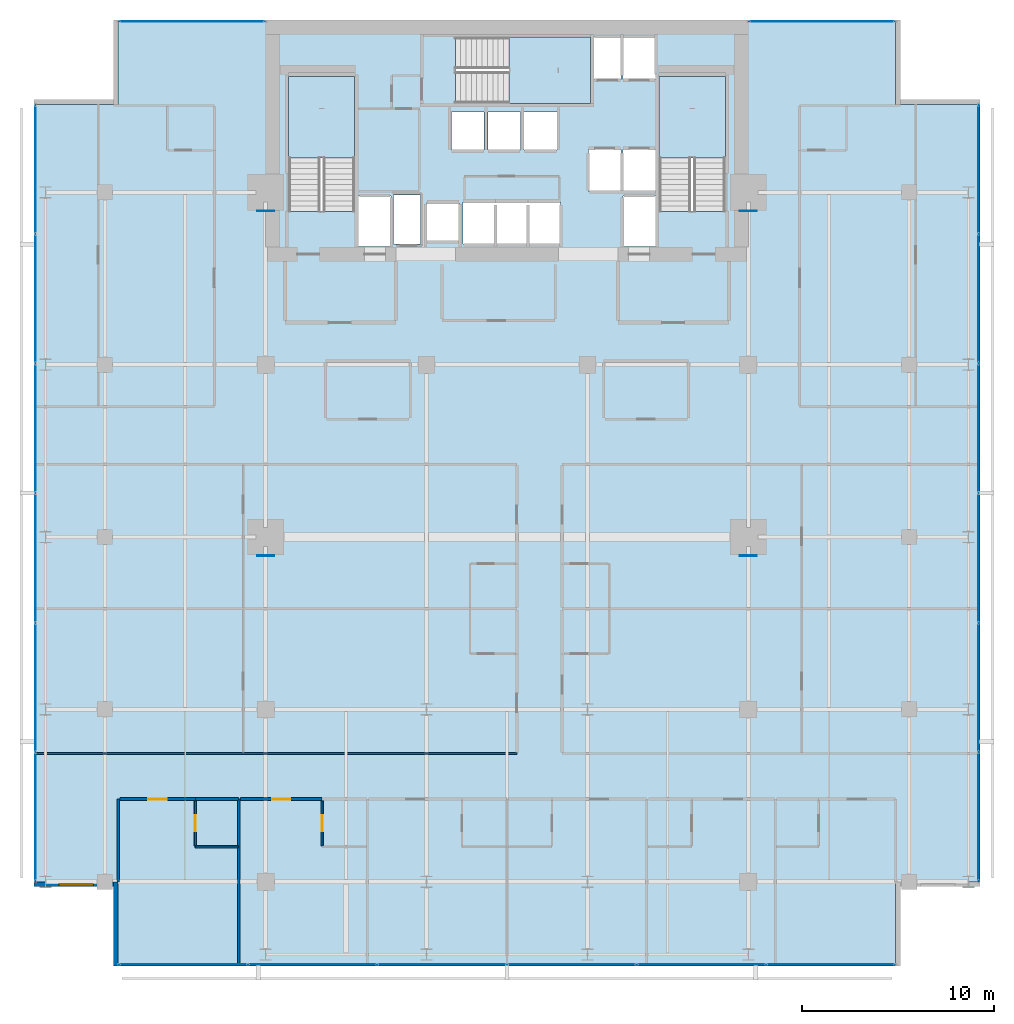
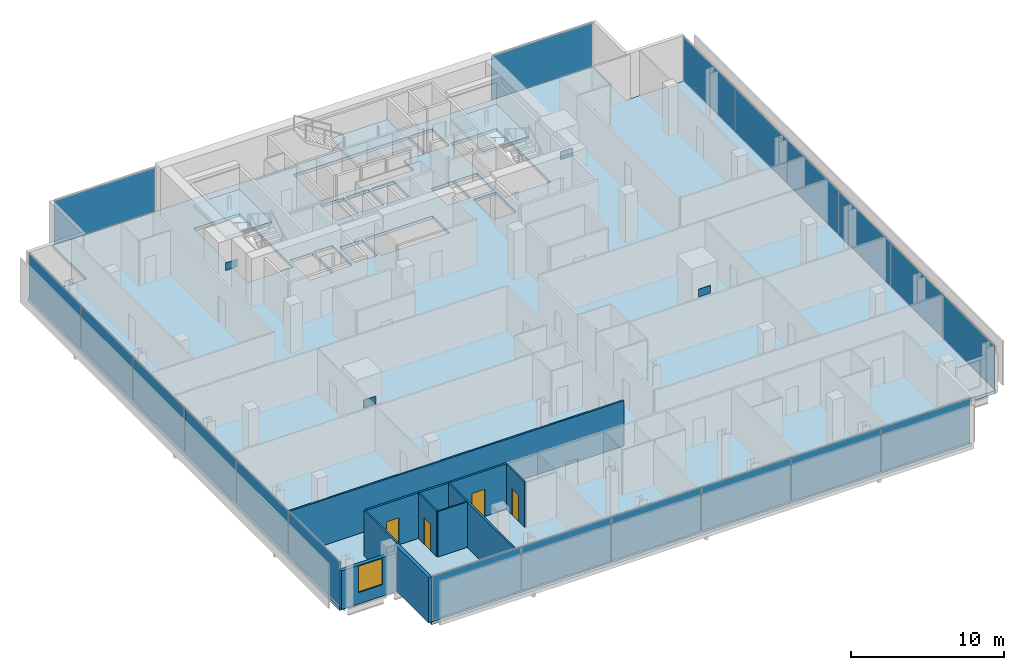
# One storey, part 26 of 33: 24 plates, 11 walls, 4 doors, 4 slabs, 1 window, 5 openings, 8 elements without a shape of their own.
"""IFC4 building model written with IfcOpenShell, lengths in metres."""

from ifc_helpers import new_model, si_unit, direction, frame, frame_2d, origin, origin_2d, place, context, subcontext, project, spatial, polyline, rectangle, outline, extrude, material, layer, layer_set, type_object, element, fill, aggregate, save


model = new_model("IFC4")

# Units and contexts
model_context = context("Model", 3, precision=1e-05, world=origin(), true_north=direction((0.0, 1.0)))
body_context = subcontext(model_context, "Body", "Model", "MODEL_VIEW")
ifc_project = project(units=[si_unit("LENGTHUNIT", "METRE"), si_unit("AREAUNIT", "SQUARE_METRE"), si_unit("VOLUMEUNIT", "CUBIC_METRE"), si_unit("PLANEANGLEUNIT", "RADIAN"), si_unit("MASSUNIT", "GRAM", prefix="KILO")], contexts=[model_context])

# Site, building, storey
site_placement = place(None, origin())
site = spatial("IfcSite", under=ifc_project, at=site_placement, CompositionType="ELEMENT")
building_placement = place(site_placement, origin())
building = spatial("IfcBuilding", under=site, at=building_placement, Name="Maruvema Waterfront Hotel and Observation Tower", CompositionType="ELEMENT")
storey_placement = place(building_placement, frame((0.0, 0.0, 196.699951171875)))
storey = spatial("IfcBuildingStorey", under=building, at=storey_placement, Name="L48", CompositionType="ELEMENT", Elevation=196.699951171875)

# Slab
ifc_material_1 = material(Name="Concrete C50/60", Category="concrete")
ifc_layer_1 = layer(ifc_material_1, 0.239990234375, Name="Reinforced Concrete Floor Slab 240 mm")
ifc_layer_set_1 = layer_set([ifc_layer_1], Name="Concrete C50/60")
slab_type_1 = type_object("IfcSlabType", Name="Reinforced Concrete Floor Slab 240 mm", PredefinedType="FLOOR", material=ifc_layer_set_1)
slab_1_placement = place(storey_placement, frame((0.0, 0.0, -0.239990234375)))
element("IfcSlab", 1, at=slab_1_placement, inside=storey, type_object=slab_type_1, Name="L48 Structural Floor Slab", PredefinedType="FLOOR", context=body_context, shape_type="SweptSolid", body=[
    extrude(outline(polyline([(17.5, 4.60009765625), (58.10009765625, 4.60009765625), (58.10009765625, 9.0), (62.5, 9.0), (62.5, 49.60009765625), (58.10009765625, 49.60009765625), (58.10009765625, 54.0), (17.5, 54.0), (17.5, 49.60009765625), (13.10009765625, 49.60009765625), (13.10009765625, 9.0), (17.5, 9.0), (17.5, 4.60009765625)]), holes=[polyline([(26.39990234375, 44.00048828125), (26.39990234375, 51.050048828125), (29.85009765625, 51.050048828125), (29.85009765625, 44.00048828125), (26.39990234375, 44.00048828125)]), polyline([(30.050048828125, 44.800048828125), (31.75, 44.800048828125), (31.75, 42.169921875), (30.050048828125, 42.169921875), (30.050048828125, 44.800048828125)]), polyline([(31.8798828125, 44.860107421875), (33.280029296875, 44.860107421875), (33.280029296875, 42.2900390625), (31.8798828125, 42.2900390625), (31.8798828125, 44.860107421875)]), polyline([(33.60009765625, 44.449951171875), (35.300048828125, 44.449951171875), (35.300048828125, 42.449951171875), (33.60009765625, 42.449951171875), (33.60009765625, 44.449951171875)]), polyline([(34.89990234375, 49.199951171875), (36.60009765625, 49.199951171875), (36.60009765625, 47.199951171875), (34.89990234375, 47.199951171875), (34.89990234375, 49.199951171875)]), polyline([(36.800048828125, 49.199951171875), (38.5, 49.199951171875), (38.5, 47.199951171875), (36.800048828125, 47.199951171875), (36.800048828125, 49.199951171875)]), polyline([(35.5, 42.300048828125), (35.5, 44.5), (40.60009765625, 44.5), (40.60009765625, 42.300048828125), (35.5, 42.300048828125)]), polyline([(35.1005859375, 53.10009765625), (43.75, 53.10009765625), (43.75, 50.89990234375), (42.14990234375, 50.89990234375), (42.14990234375, 49.64990234375), (35.1005859375, 49.64990234375), (35.1005859375, 53.10009765625)]), polyline([(38.699951171875, 49.199951171875), (40.39990234375, 49.199951171875), (40.39990234375, 47.199951171875), (38.699951171875, 47.199951171875), (38.699951171875, 49.199951171875)]), polyline([(42.050048828125, 47.25), (43.75, 47.25), (43.75, 45.050048828125), (42.050048828125, 45.050048828125), (42.050048828125, 47.25)]), polyline([(43.85009765625, 44.800048828125), (45.550048828125, 44.800048828125), (45.550048828125, 42.169921875), (43.85009765625, 42.169921875), (43.85009765625, 44.800048828125)]), polyline([(43.85009765625, 47.25), (45.550048828125, 47.25), (45.550048828125, 45.050048828125), (43.85009765625, 45.050048828125), (43.85009765625, 47.25)]), polyline([(45.550048828125, 53.10009765625), (45.550048828125, 50.89990234375), (43.85009765625, 50.89990234375), (43.85009765625, 53.10009765625), (45.550048828125, 53.10009765625)]), polyline([(45.75, 44.00048828125), (45.75, 51.050048828125), (49.199951171875, 51.050048828125), (49.199951171875, 44.00048828125), (45.75, 44.00048828125)])]), origin(), (0.0, 0.0, 1.0), 0.239990234375),
])

# Curtain wall, plates
ifc_material_2 = material(Name="Anodised bronze aluminium and solar-control low-E IGU", Category="aluminium")
ifc_layer_2 = layer(ifc_material_2, 0.159912109375, Name="Zone 2 Amber Inner Thermal Curtain Wall System CW-03")
ifc_layer_set_2 = layer_set([ifc_layer_2], Name="Anodised bronze aluminium and solar-control low-E IGU")
curtain_wall_type = type_object("IfcCurtainWallType", Name="Zone 2 Amber Inner Thermal Curtain Wall System CW-03", PredefinedType="USERDEFINED", material=ifc_layer_set_2)
curtain_wall_1_placement = place(storey_placement, origin())
curtain_wall_1 = element("IfcCurtainWall", 2, at=curtain_wall_1_placement, inside=storey, type_object=curtain_wall_type, Name="L48 Curtain Wall CW-L48-S", ObjectType="UNITISED CURTAIN WALL", PredefinedType="USERDEFINED")
ifc_material_3 = material(Name="Laminated low-E solar-control double glazing", Category="glass")
ifc_layer_3 = layer(ifc_material_3, 0.035888671875, Name="Solar Control Double-Glazed Curtain Panel 36 mm")
ifc_layer_set_3 = layer_set([ifc_layer_3], Name="Laminated low-E solar-control double glazing")
plate_type_1 = type_object("IfcPlateType", Name="Solar Control Double-Glazed Curtain Panel 36 mm", PredefinedType="CURTAIN_PANEL", material=ifc_layer_set_3)
plate_1_placement = place(storey_placement, frame((20.8984375, 4.679931640625, 0.06005859375), z_axis=(0.0, 0.0, 1.0), x_axis=(1.0, 0.0, 0.0)))
plate_1 = element("IfcPlate", 3, at=plate_1_placement, type_object=plate_type_1, Name="CW-03 panel 1.1", PredefinedType="CURTAIN_PANEL", context=body_context, shape_type="SweptSolid", body=[
    extrude(rectangle(XDim=6.6767578125, YDim=0.028076171875, at=origin_2d()), origin(), (0.0, 0.0, 1.0), 3.489990234375),
])
plate_2_placement = place(storey_placement, frame((27.64990234375, 4.679931640625, 0.06005859375), z_axis=(0.0, 0.0, 1.0), x_axis=(1.0, 0.0, 0.0)))
plate_2 = element("IfcPlate", 4, at=plate_2_placement, type_object=plate_type_1, Name="CW-03 panel 2.1", PredefinedType="CURTAIN_PANEL", context=body_context, shape_type="SweptSolid", body=[
    extrude(rectangle(XDim=6.706787109375, YDim=0.028076171875, at=origin_2d()), origin(), (0.0, 0.0, 1.0), 3.489990234375),
])
plate_3_placement = place(storey_placement, frame((34.416748046875, 4.679931640625, 0.06005859375), z_axis=(0.0, 0.0, 1.0), x_axis=(1.0, 0.0, 0.0)))
plate_3 = element("IfcPlate", 5, at=plate_3_placement, type_object=plate_type_1, Name="CW-03 panel 3.1", PredefinedType="CURTAIN_PANEL", context=body_context, shape_type="SweptSolid", body=[
    extrude(rectangle(XDim=6.706787109375, YDim=0.028076171875, at=origin_2d()), origin(), (0.0, 0.0, 1.0), 3.489990234375),
])
plate_4_placement = place(storey_placement, frame((41.183349609375, 4.679931640625, 0.06005859375), z_axis=(0.0, 0.0, 1.0), x_axis=(1.0, 0.0, 0.0)))
plate_4 = element("IfcPlate", 6, at=plate_4_placement, type_object=plate_type_1, Name="CW-03 panel 4.1", PredefinedType="CURTAIN_PANEL", context=body_context, shape_type="SweptSolid", body=[
    extrude(rectangle(XDim=6.706787109375, YDim=0.028076171875, at=origin_2d()), origin(), (0.0, 0.0, 1.0), 3.489990234375),
])
plate_5_placement = place(storey_placement, frame((47.949951171875, 4.679931640625, 0.06005859375), z_axis=(0.0, 0.0, 1.0), x_axis=(1.0, 0.0, 0.0)))
plate_5 = element("IfcPlate", 7, at=plate_5_placement, type_object=plate_type_1, Name="CW-03 panel 5.1", PredefinedType="CURTAIN_PANEL", context=body_context, shape_type="SweptSolid", body=[
    extrude(rectangle(XDim=6.706787109375, YDim=0.028076171875, at=origin_2d()), origin(), (0.0, 0.0, 1.0), 3.489990234375),
])
plate_6_placement = place(storey_placement, frame((54.70166015625, 4.679931640625, 0.06005859375), z_axis=(0.0, 0.0, 1.0), x_axis=(1.0, 0.0, 0.0)))
plate_6 = element("IfcPlate", 8, at=plate_6_placement, type_object=plate_type_1, Name="CW-03 panel 6.1", PredefinedType="CURTAIN_PANEL", context=body_context, shape_type="SweptSolid", body=[
    extrude(rectangle(XDim=6.6767578125, YDim=0.028076171875, at=origin_2d()), origin(), (0.0, 0.0, 1.0), 3.489990234375),
])
aggregate(curtain_wall_1, [plate_1, plate_2, plate_3, plate_4, plate_5, plate_6])

curtain_wall_2_placement = place(storey_placement, origin())
curtain_wall_2 = element("IfcCurtainWall", 9, at=curtain_wall_2_placement, inside=storey, type_object=curtain_wall_type, Name="L48 Curtain Wall CW-L48-E", ObjectType="UNITISED CURTAIN WALL", PredefinedType="USERDEFINED")
plate_7_placement = place(storey_placement, frame((62.419921875, 12.3984375, 0.06005859375), z_axis=(0.0, 0.0, 1.0), x_axis=(0.0, 1.0, 0.0)))
plate_7 = element("IfcPlate", 10, at=plate_7_placement, type_object=plate_type_1, Name="CW-03 panel 1.1", PredefinedType="CURTAIN_PANEL", context=body_context, shape_type="SweptSolid", body=[
    extrude(rectangle(XDim=6.6767578125, YDim=0.028076171875, at=origin_2d()), origin(), (0.0, 0.0, 1.0), 3.489990234375),
])
plate_8_placement = place(storey_placement, frame((62.419921875, 19.14990234375, 0.06005859375), z_axis=(0.0, 0.0, 1.0), x_axis=(0.0, 1.0, 0.0)))
plate_8 = element("IfcPlate", 11, at=plate_8_placement, type_object=plate_type_1, Name="CW-03 panel 2.1", PredefinedType="CURTAIN_PANEL", context=body_context, shape_type="SweptSolid", body=[
    extrude(rectangle(XDim=6.706787109375, YDim=0.028076171875, at=origin_2d()), origin(), (0.0, 0.0, 1.0), 3.489990234375),
])
plate_9_placement = place(storey_placement, frame((62.419921875, 25.916748046875, 0.06005859375), z_axis=(0.0, 0.0, 1.0), x_axis=(0.0, 1.0, 0.0)))
plate_9 = element("IfcPlate", 12, at=plate_9_placement, type_object=plate_type_1, Name="CW-03 panel 3.1", PredefinedType="CURTAIN_PANEL", context=body_context, shape_type="SweptSolid", body=[
    extrude(rectangle(XDim=6.706787109375, YDim=0.028076171875, at=origin_2d()), origin(), (0.0, 0.0, 1.0), 3.489990234375),
])
plate_10_placement = place(storey_placement, frame((62.419921875, 32.683349609375, 0.06005859375), z_axis=(0.0, 0.0, 1.0), x_axis=(0.0, 1.0, 0.0)))
plate_10 = element("IfcPlate", 13, at=plate_10_placement, type_object=plate_type_1, Name="CW-03 panel 4.1", PredefinedType="CURTAIN_PANEL", context=body_context, shape_type="SweptSolid", body=[
    extrude(rectangle(XDim=6.706787109375, YDim=0.028076171875, at=origin_2d()), origin(), (0.0, 0.0, 1.0), 3.489990234375),
])
plate_11_placement = place(storey_placement, frame((62.419921875, 39.449951171875, 0.06005859375), z_axis=(0.0, 0.0, 1.0), x_axis=(0.0, 1.0, 0.0)))
plate_11 = element("IfcPlate", 14, at=plate_11_placement, type_object=plate_type_1, Name="CW-03 panel 5.1", PredefinedType="CURTAIN_PANEL", context=body_context, shape_type="SweptSolid", body=[
    extrude(rectangle(XDim=6.706787109375, YDim=0.028076171875, at=origin_2d()), origin(), (0.0, 0.0, 1.0), 3.489990234375),
])
plate_12_placement = place(storey_placement, frame((62.419921875, 46.20166015625, 0.06005859375), z_axis=(0.0, 0.0, 1.0), x_axis=(0.0, 1.0, 0.0)))
plate_12 = element("IfcPlate", 15, at=plate_12_placement, type_object=plate_type_1, Name="CW-03 panel 6.1", PredefinedType="CURTAIN_PANEL", context=body_context, shape_type="SweptSolid", body=[
    extrude(rectangle(XDim=6.6767578125, YDim=0.028076171875, at=origin_2d()), origin(), (0.0, 0.0, 1.0), 3.489990234375),
])
aggregate(curtain_wall_2, [plate_7, plate_8, plate_9, plate_10, plate_11, plate_12])

curtain_wall_3_placement = place(storey_placement, origin())
curtain_wall_3 = element("IfcCurtainWall", 16, at=curtain_wall_3_placement, inside=storey, type_object=curtain_wall_type, Name="L48 Curtain Wall CW-L48-W", ObjectType="UNITISED CURTAIN WALL", PredefinedType="USERDEFINED")
plate_13_placement = place(storey_placement, frame((13.179931640625, 46.20166015625, 0.06005859375), z_axis=(0.0, 0.0, 1.0), x_axis=(0.0, -1.0, 0.0)))
plate_13 = element("IfcPlate", 17, at=plate_13_placement, type_object=plate_type_1, Name="CW-03 panel 1.1", PredefinedType="CURTAIN_PANEL", context=body_context, shape_type="SweptSolid", body=[
    extrude(rectangle(XDim=6.6767578125, YDim=0.028076171875, at=origin_2d()), origin(), (0.0, 0.0, 1.0), 3.489990234375),
])
plate_14_placement = place(storey_placement, frame((13.179931640625, 39.449951171875, 0.06005859375), z_axis=(0.0, 0.0, 1.0), x_axis=(0.0, -1.0, 0.0)))
plate_14 = element("IfcPlate", 18, at=plate_14_placement, type_object=plate_type_1, Name="CW-03 panel 2.1", PredefinedType="CURTAIN_PANEL", context=body_context, shape_type="SweptSolid", body=[
    extrude(rectangle(XDim=6.706787109375, YDim=0.028076171875, at=origin_2d()), origin(), (0.0, 0.0, 1.0), 3.489990234375),
])
plate_15_placement = place(storey_placement, frame((13.179931640625, 32.683349609375, 0.06005859375), z_axis=(0.0, 0.0, 1.0), x_axis=(0.0, -1.0, 0.0)))
plate_15 = element("IfcPlate", 19, at=plate_15_placement, type_object=plate_type_1, Name="CW-03 panel 3.1", PredefinedType="CURTAIN_PANEL", context=body_context, shape_type="SweptSolid", body=[
    extrude(rectangle(XDim=6.706787109375, YDim=0.028076171875, at=origin_2d()), origin(), (0.0, 0.0, 1.0), 3.489990234375),
])
plate_16_placement = place(storey_placement, frame((13.179931640625, 25.916748046875, 0.06005859375), z_axis=(0.0, 0.0, 1.0), x_axis=(0.0, -1.0, 0.0)))
plate_16 = element("IfcPlate", 20, at=plate_16_placement, type_object=plate_type_1, Name="CW-03 panel 4.1", PredefinedType="CURTAIN_PANEL", context=body_context, shape_type="SweptSolid", body=[
    extrude(rectangle(XDim=6.706787109375, YDim=0.028076171875, at=origin_2d()), origin(), (0.0, 0.0, 1.0), 3.489990234375),
])
plate_17_placement = place(storey_placement, frame((13.179931640625, 19.14990234375, 0.06005859375), z_axis=(0.0, 0.0, 1.0), x_axis=(0.0, -1.0, 0.0)))
plate_17 = element("IfcPlate", 21, at=plate_17_placement, type_object=plate_type_1, Name="CW-03 panel 5.1", PredefinedType="CURTAIN_PANEL", context=body_context, shape_type="SweptSolid", body=[
    extrude(rectangle(XDim=6.706787109375, YDim=0.028076171875, at=origin_2d()), origin(), (0.0, 0.0, 1.0), 3.489990234375),
])
plate_18_placement = place(storey_placement, frame((13.179931640625, 12.3984375, 0.06005859375), z_axis=(0.0, 0.0, 1.0), x_axis=(0.0, -1.0, 0.0)))
plate_18 = element("IfcPlate", 22, at=plate_18_placement, type_object=plate_type_1, Name="CW-03 panel 6.1", PredefinedType="CURTAIN_PANEL", context=body_context, shape_type="SweptSolid", body=[
    extrude(rectangle(XDim=6.6767578125, YDim=0.028076171875, at=origin_2d()), origin(), (0.0, 0.0, 1.0), 3.489990234375),
])
aggregate(curtain_wall_3, [plate_13, plate_14, plate_15, plate_16, plate_17, plate_18])

# Curtain wall, plate
curtain_wall_4_placement = place(storey_placement, origin())
curtain_wall_4 = element("IfcCurtainWall", 23, at=curtain_wall_4_placement, inside=storey, type_object=curtain_wall_type, Name="L48 Curtain Wall CW-L48-NW", ObjectType="UNITISED CURTAIN WALL", PredefinedType="USERDEFINED")
plate_19_placement = place(storey_placement, frame((21.35009765625, 53.919921875, 0.06005859375), z_axis=(0.0, 0.0, 1.0), x_axis=(-1.0, 0.0, 0.0)))
plate_19 = element("IfcPlate", 24, at=plate_19_placement, type_object=plate_type_1, Name="CW-03 panel 1.1", PredefinedType="CURTAIN_PANEL", context=body_context, shape_type="SweptSolid", body=[
    extrude(rectangle(XDim=7.580078125, YDim=0.028076171875, at=origin_2d()), origin(), (0.0, 0.0, 1.0), 3.489990234375),
])
aggregate(curtain_wall_4, [plate_19])

curtain_wall_5_placement = place(storey_placement, origin())
curtain_wall_5 = element("IfcCurtainWall", 25, at=curtain_wall_5_placement, inside=storey, type_object=curtain_wall_type, Name="L48 Curtain Wall CW-L48-NE", ObjectType="UNITISED CURTAIN WALL", PredefinedType="USERDEFINED")
plate_20_placement = place(storey_placement, frame((54.25, 53.919921875, 0.06005859375), z_axis=(0.0, 0.0, 1.0), x_axis=(-1.0, 0.0, 0.0)))
plate_20 = element("IfcPlate", 26, at=plate_20_placement, type_object=plate_type_1, Name="CW-03 panel 1.1", PredefinedType="CURTAIN_PANEL", context=body_context, shape_type="SweptSolid", body=[
    extrude(rectangle(XDim=7.580078125, YDim=0.028076171875, at=origin_2d()), origin(), (0.0, 0.0, 1.0), 3.489990234375),
])
aggregate(curtain_wall_5, [plate_20])

# Stair, slab
ifc_material_4 = material(Name="Concrete C50/60", Category="concrete")
stair_type = type_object("IfcStairType", Name="Dogleg Exit Stair 1650 mm (22R x 175.0 mm)", PredefinedType="HALF_TURN_STAIR", material=ifc_material_4)
stair_1_placement = place(storey_placement, origin())
stair_1 = element("IfcStair", 27, at=stair_1_placement, inside=storey, type_object=stair_type, Name="L48 ST-01", PredefinedType="HALF_TURN_STAIR")
ifc_material_5 = material(Name="Concrete C50/60", Category="concrete")
ifc_layer_4 = layer(ifc_material_5, 0.219970703125, Name="Stair Concrete Landing Slab 220 mm")
ifc_layer_set_4 = layer_set([ifc_layer_4], Name="Concrete C50/60")
slab_type_2 = type_object("IfcSlabType", Name="Stair Concrete Landing Slab 220 mm", PredefinedType="LANDING", material=ifc_layer_set_4)
slab_2_placement = place(storey_placement, frame((0.0, 0.0, 1.705078125)))
slab_2 = element("IfcSlab", 28, at=slab_2_placement, type_object=slab_type_2, Name="ST-01 landing 1", PredefinedType="LANDING", context=body_context, shape_type="SweptSolid", body=[
    extrude(outline(polyline([(29.85009765625, 46.800048828125), (29.85009765625, 51.050048828125), (26.39990234375, 51.050048828125), (26.39990234375, 46.800048828125), (29.85009765625, 46.800048828125)])), origin(), (0.0, 0.0, 1.0), 0.219970703125),
])
aggregate(stair_1, [slab_2])

stair_2_placement = place(storey_placement, origin())
stair_2 = element("IfcStair", 29, at=stair_2_placement, inside=storey, type_object=stair_type, Name="L48 ST-02", PredefinedType="HALF_TURN_STAIR")
slab_3_placement = place(storey_placement, frame((0.0, 0.0, 1.705078125)))
slab_3 = element("IfcSlab", 30, at=slab_3_placement, type_object=slab_type_2, Name="ST-02 landing 1", PredefinedType="LANDING", context=body_context, shape_type="SweptSolid", body=[
    extrude(outline(polyline([(37.89990234375, 49.64990234375), (42.14990234375, 49.64990234375), (42.14990234375, 53.10009765625), (37.89990234375, 53.10009765625), (37.89990234375, 49.64990234375)])), origin(), (0.0, 0.0, 1.0), 0.219970703125),
])
aggregate(stair_2, [slab_3])

stair_3_placement = place(storey_placement, origin())
stair_3 = element("IfcStair", 31, at=stair_3_placement, inside=storey, type_object=stair_type, Name="L48 ST-03", PredefinedType="HALF_TURN_STAIR")
slab_4_placement = place(storey_placement, frame((0.0, 0.0, 1.705078125)))
slab_4 = element("IfcSlab", 32, at=slab_4_placement, type_object=slab_type_2, Name="ST-03 landing 1", PredefinedType="LANDING", context=body_context, shape_type="SweptSolid", body=[
    extrude(outline(polyline([(49.199951171875, 46.800048828125), (49.199951171875, 51.050048828125), (45.75, 51.050048828125), (45.75, 46.800048828125), (49.199951171875, 46.800048828125)])), origin(), (0.0, 0.0, 1.0), 0.219970703125),
])
aggregate(stair_3, [slab_4])

# Plates
ifc_material_6 = material(Name="Steel ABNT NBR 7007 AR 415 (ASTM A572 Grade 50)", Category="steel")
ifc_layer_5 = layer(ifc_material_6, 0.0400390625, Name="Structural Truss Node Gusset Plate 40 mm")
ifc_layer_set_5 = layer_set([ifc_layer_5], Name="Steel ABNT NBR 7007 AR 415 (ASTM A572 Grade 50)")
plate_type_2 = type_object("IfcPlateType", Name="Structural Truss Node Gusset Plate 40 mm", PredefinedType="USERDEFINED", material=ifc_layer_set_5)
for number, where, z_axis, x_axis, name in (
    (33, (25.199951171875, 26.030029296875, 1.5), (0.0, 0.0, 1.0), (1.0, 0.0, 0.0), "L48 MC-01 Moment Frame Continuity Gusset Plate"),
    (34, (50.39990234375, 26.030029296875, 1.5), (0.0, 0.0, 1.0), (1.0, 0.0, 0.0), "L48 MC-02 Moment Frame Continuity Gusset Plate"),
    (35, (25.199951171875, 44.030029296875, 1.5), (0.0, 0.0, 1.0), (1.0, 0.0, 0.0), "L48 MC-03 Moment Frame Continuity Gusset Plate"),
    (36, (50.39990234375, 44.030029296875, 1.5), (0.0, 0.0, 1.0), (1.0, 0.0, 0.0), "L48 MC-04 Moment Frame Continuity Gusset Plate"),
):
    element("IfcPlate", number, at=place(storey_placement, frame(where, z_axis=z_axis, x_axis=x_axis)), inside=storey, type_object=plate_type_2, Name=name, ObjectType="GUSSET_PLATE", PredefinedType="USERDEFINED", context=body_context, shape_type="SweptSolid", body=[
        extrude(rectangle(XDim=0.89990234375, YDim=0.0400390625, at=origin_2d()), origin(), (0.0, 0.0, 1.0), 0.60009765625),
    ])

# Wall
ifc_material_7 = material(Name="Twin-stud acoustic gypsum drywall", Category="gypsum")
ifc_layer_6 = layer(ifc_material_7, 0.14990234375, Name="Acoustic Corridor and Suite Demising Wall 150 mm")
ifc_layer_set_6 = layer_set([ifc_layer_6], Name="Twin-stud acoustic gypsum drywall")
wall_type_1 = type_object("IfcWallType", Name="Acoustic Corridor and Suite Demising Wall 150 mm", PredefinedType="PARTITIONING", material=ifc_layer_set_6)
wall_1_placement = place(storey_placement, frame((21.530029296875, 13.320068359375, 0.0), z_axis=(0.0, 0.0, 1.0), x_axis=(1.0, 0.0, 0.0)))
element("IfcWall", 37, at=wall_1_placement, inside=storey, type_object=wall_type_1, Name="L48 Bath L48-S1 Back Wall 031", PredefinedType="PARTITIONING", context=body_context, shape_type="SweptSolid", body=[
    extrude(rectangle(XDim=2.25, YDim=0.14990234375, at=frame_2d((1.125, 0.0))), origin(), (0.0, 0.0, 1.0), 3.610107421875),
])

# Wall, opening, door
wall_2_placement = place(storey_placement, frame((17.580078125, 13.320068359375, 0.0), z_axis=(0.0, 0.0, 1.0), x_axis=(1.0, 0.0, 0.0)))
wall_2 = element("IfcWall", 38, at=wall_2_placement, inside=storey, type_object=wall_type_1, Name="L48 Unit L48-S1 Corridor Wall 034", PredefinedType="PARTITIONING", context=body_context, shape_type="SweptSolid", body=[
    extrude(rectangle(XDim=3.949951171875, YDim=0.14990234375, at=frame_2d((1.97509765625, 0.0))), origin(), (0.0, 0.0, 1.0), 3.610107421875),
])
opening_1_placement = place(wall_2_placement, frame((1.5, 0.0, 0.0)))
opening_1 = element("IfcOpeningElement", 39, at=opening_1_placement, cuts=wall_2, Name="Opening DR-095", PredefinedType="OPENING", context=body_context, shape_type="SweptSolid", body=[
    extrude(rectangle(XDim=0.949951171875, YDim=2.14990234375, at=frame_2d((0.47509765625, 1.074951171875))), frame((0.0, 0.0849609375, 0.0), z_axis=(0.0, -1.0, 0.0), x_axis=(1.0, 0.0, 0.0)), (0.0, 0.0, 1.0), 0.169921875),
])
ifc_material_8 = material(Name="Acoustic solid-core hardwood timber leaf", Category="wood")
door_type_1 = type_object("IfcDoorType", Name="Guestroom Entrance Fire Door 950x2150 mm", OperationType="NOTDEFINED", PredefinedType="DOOR", material=ifc_material_8)
door_1_placement = place(opening_1_placement, frame((0.949951171875, 0.0, 0.0), z_axis=(0.0, 0.0, 1.0), x_axis=(-1.0, 0.0, 0.0)))
door_1 = element("IfcDoor", 40, at=door_1_placement, inside=storey, type_object=door_type_1, Name="L48 Unit L48-S1 Entrance Door", OperationType="SINGLE_SWING_LEFT", OverallHeight=2.14990234375, OverallWidth=0.949951171875, PredefinedType="DOOR", context=body_context, shape_type="SweptSolid", body=[
    extrude(rectangle(XDim=0.949951171875, YDim=2.14990234375, at=frame_2d((0.47509765625, 1.074951171875))), frame((0.0, 0.02490234375, 0.0), z_axis=(0.0, -1.0, 0.0), x_axis=(1.0, 0.0, 0.0)), (0.0, 0.0, 1.0), 0.050048828125),
])
fill(opening_1, door_1)

wall_3_placement = place(storey_placement, frame((23.8798828125, 13.320068359375, 0.0), z_axis=(0.0, 0.0, 1.0), x_axis=(1.0, 0.0, 0.0)))
wall_3 = element("IfcWall", 41, at=wall_3_placement, inside=storey, type_object=wall_type_1, Name="L48 Unit L48-S2 Corridor Wall 039", PredefinedType="PARTITIONING", context=body_context, shape_type="SweptSolid", body=[
    extrude(rectangle(XDim=4.27001953125, YDim=0.14990234375, at=frame_2d((2.135009765625, 0.0))), origin(), (0.0, 0.0, 1.0), 3.610107421875),
])
opening_2_placement = place(wall_3_placement, frame((1.659912109375, 0.0, 0.0)))
opening_2 = element("IfcOpeningElement", 42, at=opening_2_placement, cuts=wall_3, Name="Opening DR-095", PredefinedType="OPENING", context=body_context, shape_type="SweptSolid", body=[
    extrude(rectangle(XDim=0.949951171875, YDim=2.14990234375, at=frame_2d((0.47509765625, 1.074951171875))), frame((0.0, 0.0849609375, 0.0), z_axis=(0.0, -1.0, 0.0), x_axis=(1.0, 0.0, 0.0)), (0.0, 0.0, 1.0), 0.169921875),
])
door_2_placement = place(opening_2_placement, frame((0.949951171875, 0.0, 0.0), z_axis=(0.0, 0.0, 1.0), x_axis=(-1.0, 0.0, 0.0)))
door_2 = element("IfcDoor", 43, at=door_2_placement, inside=storey, type_object=door_type_1, Name="L48 Unit L48-S2 Entrance Door", OperationType="SINGLE_SWING_LEFT", OverallHeight=2.14990234375, OverallWidth=0.949951171875, PredefinedType="DOOR", context=body_context, shape_type="SweptSolid", body=[
    extrude(rectangle(XDim=0.949951171875, YDim=2.14990234375, at=frame_2d((0.47509765625, 1.074951171875))), frame((0.0, 0.02490234375, 0.0), z_axis=(0.0, -1.0, 0.0), x_axis=(1.0, 0.0, 0.0)), (0.0, 0.0, 1.0), 0.050048828125),
])
fill(opening_2, door_2)

# Wall
ifc_material_9 = material(Name="Moisture-resistant cement-board drywall", Category="gypsum")
ifc_layer_7 = layer(ifc_material_9, 0.10009765625, Name="En-Suite Moisture-Resistant Partition 100 mm")
ifc_layer_set_7 = layer_set([ifc_layer_7], Name="Moisture-resistant cement-board drywall")
wall_type_2 = type_object("IfcWallType", Name="En-Suite Moisture-Resistant Partition 100 mm", PredefinedType="PARTITIONING", material=ifc_layer_set_7)
wall_4_placement = place(storey_placement, frame((21.530029296875, 10.820068359375, 0.0), z_axis=(0.0, 0.0, 1.0), x_axis=(1.0, 0.0, 0.0)))
element("IfcWall", 44, at=wall_4_placement, inside=storey, type_object=wall_type_2, Name="L48 En-Suite L48-S1 South 032", PredefinedType="PARTITIONING", context=body_context, shape_type="SweptSolid", body=[
    extrude(rectangle(XDim=2.22998046875, YDim=0.10009765625, at=frame_2d((1.114990234375, 0.0))), origin(), (0.0, 0.0, 1.0), 3.610107421875),
])

# Wall, opening, door
wall_5_placement = place(storey_placement, frame((21.530029296875, 10.8798828125, 0.0), z_axis=(0.0, 0.0, 1.0), x_axis=(0.0, 1.0, 0.0)))
wall_5 = element("IfcWall", 45, at=wall_5_placement, inside=storey, type_object=wall_type_2, Name="L48 En-Suite L48-S1 West 033", PredefinedType="PARTITIONING", context=body_context, shape_type="SweptSolid", body=[
    extrude(rectangle(XDim=2.340087890625, YDim=0.10009765625, at=frame_2d((1.169921875, 0.0))), origin(), (0.0, 0.0, 1.0), 3.610107421875),
])
opening_3_placement = place(wall_5_placement, frame((0.7451171875, 0.0, 0.0)))
opening_3 = element("IfcOpeningElement", 46, at=opening_3_placement, cuts=wall_5, Name="Opening DR-085", PredefinedType="OPENING", context=body_context, shape_type="SweptSolid", body=[
    extrude(rectangle(XDim=0.85009765625, YDim=2.10009765625, at=frame_2d((0.425048828125, 1.050048828125))), frame((0.0, 0.06005859375, 0.0), z_axis=(0.0, -1.0, 0.0), x_axis=(1.0, 0.0, 0.0)), (0.0, 0.0, 1.0), 0.1201171875),
])
ifc_material_10 = material(Name="Moisture-resistant solid timber leaf", Category="wood")
door_type_2 = type_object("IfcDoorType", Name="En-Suite Bathroom Door 850x2100 mm", OperationType="NOTDEFINED", PredefinedType="DOOR", material=ifc_material_10)
door_3_placement = place(opening_3_placement, origin())
door_3 = element("IfcDoor", 47, at=door_3_placement, inside=storey, type_object=door_type_2, Name="L48 En-Suite L48-S1 Door", OperationType="SINGLE_SWING_RIGHT", OverallHeight=2.10009765625, OverallWidth=0.85009765625, PredefinedType="DOOR", context=body_context, shape_type="SweptSolid", body=[
    extrude(rectangle(XDim=0.85009765625, YDim=2.10009765625, at=frame_2d((0.425048828125, 1.050048828125))), frame((0.0, 0.02490234375, 0.0), z_axis=(0.0, -1.0, 0.0), x_axis=(1.0, 0.0, 0.0)), (0.0, 0.0, 1.0), 0.050048828125),
])
fill(opening_3, door_3)

wall_6_placement = place(storey_placement, frame((28.14990234375, 10.8798828125, 0.0), z_axis=(0.0, 0.0, 1.0), x_axis=(0.0, 1.0, 0.0)))
wall_6 = element("IfcWall", 48, at=wall_6_placement, inside=storey, type_object=wall_type_2, Name="L48 En-Suite L48-S2 West 038", PredefinedType="PARTITIONING", context=body_context, shape_type="SweptSolid", body=[
    extrude(rectangle(XDim=2.340087890625, YDim=0.10009765625, at=frame_2d((1.169921875, 0.0))), origin(), (0.0, 0.0, 1.0), 3.610107421875),
])
opening_4_placement = place(wall_6_placement, frame((0.7451171875, 0.0, 0.0)))
opening_4 = element("IfcOpeningElement", 49, at=opening_4_placement, cuts=wall_6, Name="Opening DR-085", PredefinedType="OPENING", context=body_context, shape_type="SweptSolid", body=[
    extrude(rectangle(XDim=0.85009765625, YDim=2.10009765625, at=frame_2d((0.425048828125, 1.050048828125))), frame((0.0, 0.06005859375, 0.0), z_axis=(0.0, -1.0, 0.0), x_axis=(1.0, 0.0, 0.0)), (0.0, 0.0, 1.0), 0.1201171875),
])
door_4_placement = place(opening_4_placement, origin())
door_4 = element("IfcDoor", 50, at=door_4_placement, inside=storey, type_object=door_type_2, Name="L48 En-Suite L48-S2 Door", OperationType="SINGLE_SWING_RIGHT", OverallHeight=2.10009765625, OverallWidth=0.85009765625, PredefinedType="DOOR", context=body_context, shape_type="SweptSolid", body=[
    extrude(rectangle(XDim=0.85009765625, YDim=2.10009765625, at=frame_2d((0.425048828125, 1.050048828125))), frame((0.0, 0.02490234375, 0.0), z_axis=(0.0, -1.0, 0.0), x_axis=(1.0, 0.0, 0.0)), (0.0, 0.0, 1.0), 0.050048828125),
])
fill(opening_4, door_4)

# Wall
ifc_material_11 = material(Name="Precast concrete C45/55 with honed Pernambuco granite facing", Category="masonry")
ifc_layer_8 = layer(ifc_material_11, 0.260009765625, Name="Exterior Granite Clad Spandrel and Pier Wall 260 mm")
ifc_layer_set_8 = layer_set([ifc_layer_8], Name="Precast concrete C45/55 with honed Pernambuco granite facing")
wall_type_3 = type_object("IfcWallType", Name="Exterior Granite Clad Spandrel and Pier Wall 260 mm", PredefinedType="SOLIDWALL", material=ifc_layer_set_8)
wall_7_placement = place(storey_placement, frame((17.3701171875, 4.60009765625, 0.0), z_axis=(0.0, 0.0, 1.0), x_axis=(0.0, 1.0, 0.0)))
element("IfcWall", 51, at=wall_7_placement, inside=storey, type_object=wall_type_3, Name="L48 Corner Notch Granite Pier Wall SW1", PredefinedType="SOLIDWALL", context=body_context, shape_type="SweptSolid", body=[
    extrude(rectangle(XDim=4.39990234375, YDim=0.260009765625, at=frame_2d((2.199951171875, 0.0))), origin(), (0.0, 0.0, 1.0), 3.610107421875),
])

# Wall, opening, window
wall_8_placement = place(storey_placement, frame((17.5, 8.8701171875, 0.0), z_axis=(0.0, 0.0, 1.0), x_axis=(-1.0, 0.0, 0.0)))
wall_8 = element("IfcWall", 52, at=wall_8_placement, inside=storey, type_object=wall_type_3, Name="L48 Corner Notch Granite Pier Wall SW2", PredefinedType="SOLIDWALL", context=body_context, shape_type="SweptSolid", body=[
    extrude(rectangle(XDim=4.39990234375, YDim=0.260009765625, at=frame_2d((2.199951171875, 0.0))), origin(), (0.0, 0.0, 1.0), 3.071044921875),
])
opening_5_placement = place(wall_8_placement, frame((1.300048828125, 0.0, 0.89990234375)))
opening_5 = element("IfcOpeningElement", 53, at=opening_5_placement, cuts=wall_8, Name="Opening WN-02", PredefinedType="OPENING", context=body_context, shape_type="SweptSolid", body=[
    extrude(rectangle(XDim=1.800048828125, YDim=2.10009765625, at=frame_2d((0.89990234375, 1.050048828125))), frame((0.0, 0.14013671875, 0.0), z_axis=(0.0, -1.0, 0.0), x_axis=(1.0, 0.0, 0.0)), (0.0, 0.0, 1.0), 0.280029296875),
])
ifc_material_12 = material(Name="Anodised bronze aluminium frame with laminated low-E glass", Category="aluminium")
window_type = type_object("IfcWindowType", Name="Upper Notch Feature Window 1800x2100 mm", PartitioningType="SINGLE_PANEL", PredefinedType="WINDOW", material=ifc_material_12)
window_placement = place(opening_5_placement, origin())
window = element("IfcWindow", 54, at=window_placement, inside=storey, type_object=window_type, Name="L48 Corner Notch Punched Window SW2", OverallHeight=2.10009765625, OverallWidth=1.800048828125, PartitioningType="SINGLE_PANEL", PredefinedType="WINDOW", context=body_context, shape_type="SweptSolid", body=[
    extrude(rectangle(XDim=1.800048828125, YDim=2.10009765625, at=frame_2d((0.89990234375, 1.050048828125))), frame((0.0, 0.030029296875, 0.0), z_axis=(0.0, -1.0, 0.0), x_axis=(1.0, 0.0, 0.0)), (0.0, 0.0, 1.0), 0.06005859375),
])
fill(opening_5, window)

# Walls
ifc_material_13 = material(Name="Acoustic gypsum plasterboard drywall", Category="gypsum")
ifc_layer_9 = layer(ifc_material_13, 0.125, Name="Guestroom Acoustic Demising Wall 125 mm")
ifc_layer_set_9 = layer_set([ifc_layer_9], Name="Acoustic gypsum plasterboard drywall")
wall_type_4 = type_object("IfcWallType", Name="Guestroom Acoustic Demising Wall 125 mm", PredefinedType="PARTITIONING", material=ifc_layer_set_9)
wall_9_placement = place(storey_placement, frame((17.5, 9.0, 0.0), z_axis=(0.0, 0.0, 1.0), x_axis=(0.0, 1.0, 0.0)))
element("IfcWall", 55, at=wall_9_placement, inside=storey, type_object=wall_type_4, Name="L48 Z2 S West End 029", PredefinedType="PARTITIONING", context=body_context, shape_type="SweptSolid", body=[
    extrude(rectangle(XDim=4.320068359375, YDim=0.125, at=frame_2d((2.16015625, 0.0))), origin(), (0.0, 0.0, 1.0), 3.610107421875),
])
wall_10_placement = place(storey_placement, frame((23.800048828125, 4.699951171875, 0.0), z_axis=(0.0, 0.0, 1.0), x_axis=(0.0, 1.0, 0.0)))
element("IfcWall", 56, at=wall_10_placement, inside=storey, type_object=wall_type_4, Name="L48 Z2 S Demising 2 035", PredefinedType="PARTITIONING", context=body_context, shape_type="SweptSolid", body=[
    extrude(rectangle(XDim=8.6201171875, YDim=0.125, at=frame_2d((4.31005859375, 0.0))), origin(), (0.0, 0.0, 1.0), 3.610107421875),
])
wall_11_placement = place(storey_placement, frame((13.199951171875, 15.699951171875, 0.0), z_axis=(0.0, 0.0, 1.0), x_axis=(1.0, 0.0, 0.0)))
element("IfcWall", 57, at=wall_11_placement, inside=storey, type_object=wall_type_4, Name="L48 Z2 W Bot End 060", PredefinedType="PARTITIONING", context=body_context, shape_type="SweptSolid", body=[
    extrude(rectangle(XDim=25.1201171875, YDim=0.125, at=frame_2d((12.56005859375, 0.0))), origin(), (0.0, 0.0, 1.0), 3.610107421875),
])

save(model, "model.ifc")
